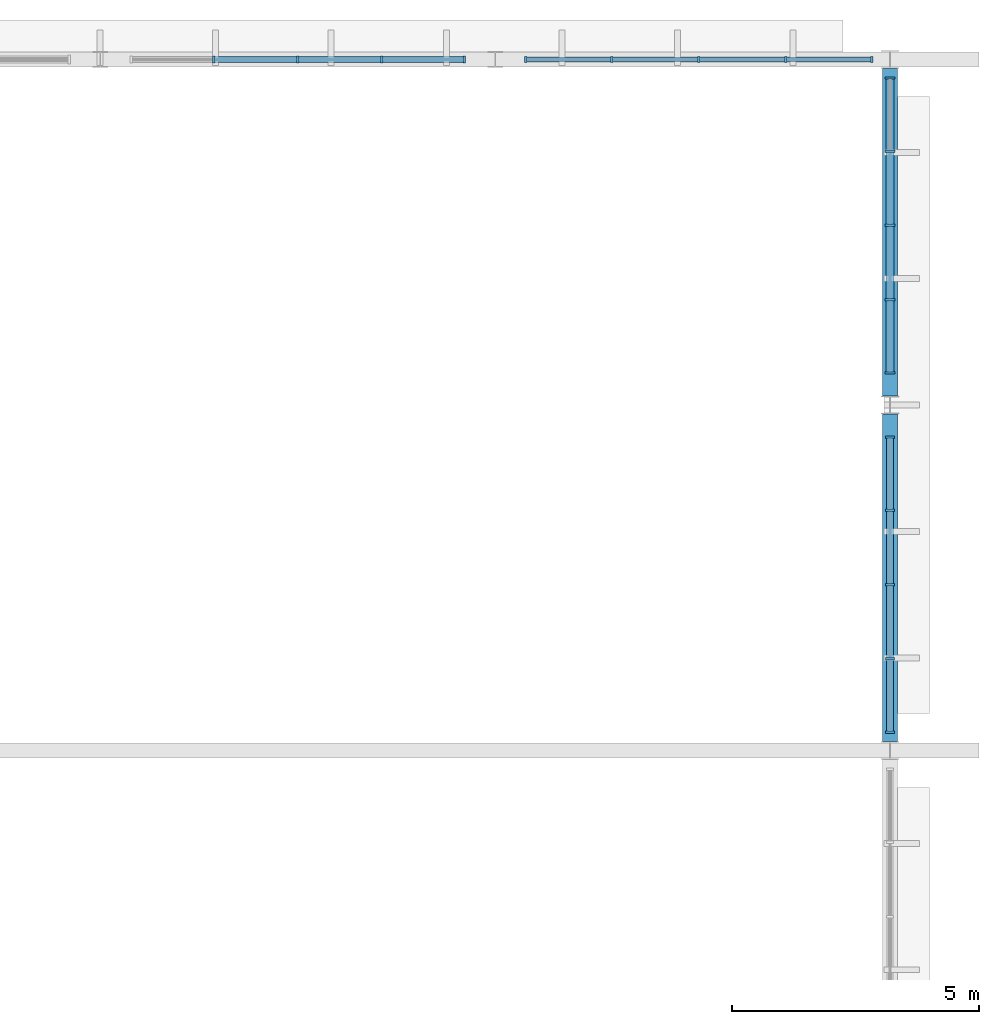
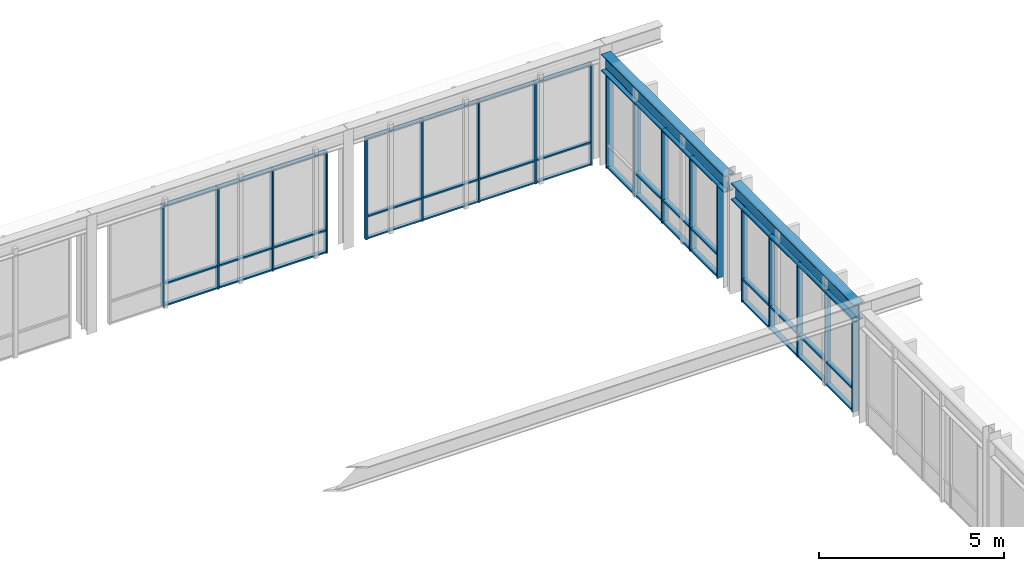
# One storey, part 45 of 98: 62 members, 2 beams, 4 elements without a shape of their own.
"""IFC4 building model written with IfcOpenShell, lengths in metres."""

from ifc_helpers import new_model, si_unit, direction, frame, origin, origin_2d, place, context, subcontext, project, spatial, rectangle, i_section, extrude, material, material_profile, profile_set, type_object, element, aggregate, save


model = new_model("IFC4")

# Units and contexts
model_context = context("Model", 3, precision=1e-05, world=origin(), true_north=direction((0.0, 1.0)))
body_context = subcontext(model_context, "Body", "Model", "MODEL_VIEW")
ifc_project = project(units=[si_unit("LENGTHUNIT", "METRE"), si_unit("AREAUNIT", "SQUARE_METRE"), si_unit("VOLUMEUNIT", "CUBIC_METRE"), si_unit("PLANEANGLEUNIT", "RADIAN"), si_unit("MASSUNIT", "GRAM", prefix="KILO")], contexts=[model_context])

# Site, building, storey
site_placement = place(None, origin())
site = spatial("IfcSite", under=ifc_project, at=site_placement, CompositionType="ELEMENT")
building_placement = place(site_placement, origin())
building = spatial("IfcBuilding", under=site, at=building_placement, Name="Larkveld Mobility Hub", CompositionType="ELEMENT")
storey_placement = place(building_placement, frame((0.0, 0.0, 4.5)))
storey = spatial("IfcBuildingStorey", under=building, at=storey_placement, Name="L01", CompositionType="ELEMENT", Elevation=4.5)

# Beams
ifc_material_1 = material(Name="Steel S355JR", Category="steel")
ifc_material_profile_1 = material_profile(ifc_material_1, i_section(OverallWidth=0.300048828125, OverallDepth=0.550048828125, WebThickness=0.014892578125, FlangeThickness=0.029052734375, FilletRadius=0.027099609375, at=origin_2d()), Name="HEB 550")
ifc_profile_set_1 = profile_set([ifc_material_profile_1], Name="Steel S355JR")
beam_type = type_object("IfcBeamType", Name="BM-STHEB550", PredefinedType="BEAM", material=ifc_profile_set_1)
for number, where, z_axis, x_axis, name in (
    (1, (184.0, 112.18408203125, 3.385009765625), (0.0, 1.0, 0.0), (-1.0, 0.0, 0.0), "Primary N-S Girder L01-0482"),
    (2, (184.0, 119.18408203125, 3.385009765625), (0.0, 1.0, 0.0), (-1.0, 0.0, 0.0), "Primary N-S Girder L01-0483"),
):
    element("IfcBeam", number, at=place(storey_placement, frame(where, z_axis=z_axis, x_axis=x_axis)), inside=storey, type_object=beam_type, Name=name, PredefinedType="BEAM", context=body_context, shape_type="SweptSolid", body=[
        extrude(i_section(OverallWidth=0.300048828125, OverallDepth=0.550048828125, WebThickness=0.014892578125, FlangeThickness=0.029052734375, FilletRadius=0.027099609375, at=origin_2d()), origin(), (0.0, 0.0, 1.0), 6.6318359375),
    ])

# Curtain wall, members
ifc_material_2 = material(Name="Anodised aluminium 6063-T6", Category="aluminium")
curtain_wall_type_1 = type_object("IfcCurtainWallType", Name="CW-SYS-05", PredefinedType="NOTDEFINED", material=ifc_material_2)
curtain_wall_1_placement = place(storey_placement, origin())
curtain_wall_1 = element("IfcCurtainWall", 3, at=curtain_wall_1_placement, inside=storey, type_object=curtain_wall_type_1, Name="North Ridgeway Upper Concourse Curtain Wall CW-065", PredefinedType="NOTDEFINED")
ifc_material_profile_2 = material_profile(ifc_material_2, rectangle(XDim=0.050048828125, YDim=0.14990234375, at=origin_2d()), Name="ALU MULL 50x150")
ifc_profile_set_2 = profile_set([ifc_material_profile_2], Name="Anodised aluminium 6063-T6")
member_type_1 = type_object("IfcMemberType", Name="CW-MUL-01", PredefinedType="MULLION", material=ifc_profile_set_2)
member_1_placement = place(storey_placement, frame((175.375, 126.0, -0.001953125), z_axis=(0.0, 0.0, 1.0), x_axis=(-1.0, 0.0, 0.0)))
member_1 = element("IfcMember", 4, at=member_1_placement, type_object=member_type_1, Name="CW05 mullion 1", PredefinedType="MULLION", context=body_context, shape_type="SweptSolid", body=[
    extrude(rectangle(XDim=0.050048828125, YDim=0.14990234375, at=origin_2d()), origin(), (0.0, 0.0, 1.0), 3.35205078125),
])
member_2_placement = place(storey_placement, frame((173.699951171875, 126.0, -0.001953125), z_axis=(0.0, 0.0, 1.0), x_axis=(-1.0, 0.0, 0.0)))
member_2 = element("IfcMember", 5, at=member_2_placement, type_object=member_type_1, Name="CW05 mullion 2", PredefinedType="MULLION", context=body_context, shape_type="SweptSolid", body=[
    extrude(rectangle(XDim=0.050048828125, YDim=0.14990234375, at=origin_2d()), origin(), (0.0, 0.0, 1.0), 3.35205078125),
])
member_3_placement = place(storey_placement, frame((172.0, 126.0, -0.001953125), z_axis=(0.0, 0.0, 1.0), x_axis=(-1.0, 0.0, 0.0)))
member_3 = element("IfcMember", 6, at=member_3_placement, type_object=member_type_1, Name="CW05 mullion 3", PredefinedType="MULLION", context=body_context, shape_type="SweptSolid", body=[
    extrude(rectangle(XDim=0.050048828125, YDim=0.14990234375, at=origin_2d()), origin(), (0.0, 0.0, 1.0), 3.35205078125),
])
member_4_placement = place(storey_placement, frame((170.300048828125, 126.0, -0.001953125), z_axis=(0.0, 0.0, 1.0), x_axis=(-1.0, 0.0, 0.0)))
member_4 = element("IfcMember", 7, at=member_4_placement, type_object=member_type_1, Name="CW05 mullion 4", PredefinedType="MULLION", context=body_context, shape_type="SweptSolid", body=[
    extrude(rectangle(XDim=0.050048828125, YDim=0.14990234375, at=origin_2d()), origin(), (0.0, 0.0, 1.0), 3.35205078125),
])

curtain_wall_type_2 = type_object("IfcCurtainWallType", Name="CW-SYS-02", PredefinedType="NOTDEFINED", material=ifc_material_2)
curtain_wall_2_placement = place(storey_placement, origin())
curtain_wall_2 = element("IfcCurtainWall", 8, at=curtain_wall_2_placement, inside=storey, type_object=curtain_wall_type_2, Name="Bus Hall Upper East Glazing B7 CW-062", PredefinedType="NOTDEFINED")
ifc_material_profile_3 = material_profile(ifc_material_2, rectangle(XDim=0.050048828125, YDim=0.179931640625, at=origin_2d()), Name="ALU MULL 50x180")
ifc_profile_set_3 = profile_set([ifc_material_profile_3], Name="Anodised aluminium 6063-T6")
member_type_2 = type_object("IfcMemberType", Name="CW-MUL-02", PredefinedType="MULLION", material=ifc_profile_set_3)
member_5_placement = place(storey_placement, frame((184.0, 112.375, -0.001953125), z_axis=(0.0, 0.0, 1.0), x_axis=(0.0, 1.0, 0.0)))
member_5 = element("IfcMember", 9, at=member_5_placement, type_object=member_type_2, Name="CW02 mullion 1", PredefinedType="MULLION", context=body_context, shape_type="SweptSolid", body=[
    extrude(rectangle(XDim=0.050048828125, YDim=0.179931640625, at=origin_2d()), origin(), (0.0, 0.0, 1.0), 3.112060546875),
])
member_6_placement = place(storey_placement, frame((184.0, 113.85595703125, -0.001953125), z_axis=(0.0, 0.0, 1.0), x_axis=(0.0, 1.0, 0.0)))
member_6 = element("IfcMember", 10, at=member_6_placement, type_object=member_type_2, Name="CW02 mullion 2", PredefinedType="MULLION", context=body_context, shape_type="SweptSolid", body=[
    extrude(rectangle(XDim=0.050048828125, YDim=0.179931640625, at=origin_2d()), origin(), (0.0, 0.0, 1.0), 3.112060546875),
])
member_7_placement = place(storey_placement, frame((184.0, 115.362060546875, -0.001953125), z_axis=(0.0, 0.0, 1.0), x_axis=(0.0, 1.0, 0.0)))
member_7 = element("IfcMember", 11, at=member_7_placement, type_object=member_type_2, Name="CW02 mullion 3", PredefinedType="MULLION", context=body_context, shape_type="SweptSolid", body=[
    extrude(rectangle(XDim=0.050048828125, YDim=0.179931640625, at=origin_2d()), origin(), (0.0, 0.0, 1.0), 3.112060546875),
])
member_8_placement = place(storey_placement, frame((184.0, 116.867919921875, -0.001953125), z_axis=(0.0, 0.0, 1.0), x_axis=(0.0, 1.0, 0.0)))
member_8 = element("IfcMember", 12, at=member_8_placement, type_object=member_type_2, Name="CW02 mullion 4", PredefinedType="MULLION", context=body_context, shape_type="SweptSolid", body=[
    extrude(rectangle(XDim=0.050048828125, YDim=0.179931640625, at=origin_2d()), origin(), (0.0, 0.0, 1.0), 3.112060546875),
])
member_9_placement = place(storey_placement, frame((184.0, 118.34912109375, -0.001953125), z_axis=(0.0, 0.0, 1.0), x_axis=(0.0, 1.0, 0.0)))
member_9 = element("IfcMember", 13, at=member_9_placement, type_object=member_type_2, Name="CW02 mullion 5", PredefinedType="MULLION", context=body_context, shape_type="SweptSolid", body=[
    extrude(rectangle(XDim=0.050048828125, YDim=0.179931640625, at=origin_2d()), origin(), (0.0, 0.0, 1.0), 3.112060546875),
])

curtain_wall_type_3 = type_object("IfcCurtainWallType", Name="CW-SYS-03", PredefinedType="NOTDEFINED", material=ifc_material_2)
curtain_wall_3_placement = place(storey_placement, origin())
curtain_wall_3 = element("IfcCurtainWall", 14, at=curtain_wall_3_placement, inside=storey, type_object=curtain_wall_type_3, Name="Bus Hall Upper East Glazing B7 CW-063", PredefinedType="NOTDEFINED")
ifc_material_profile_4 = material_profile(ifc_material_2, rectangle(XDim=0.050048828125, YDim=0.2099609375, at=origin_2d()), Name="ALU MULL 50x210")
ifc_profile_set_4 = profile_set([ifc_material_profile_4], Name="Anodised aluminium 6063-T6")
member_type_3 = type_object("IfcMemberType", Name="CW-MUL-03", PredefinedType="MULLION", material=ifc_profile_set_4)
member_10_placement = place(storey_placement, frame((184.0, 119.65087890625, -0.001953125), z_axis=(0.0, 0.0, 1.0), x_axis=(0.0, 1.0, 0.0)))
member_10 = element("IfcMember", 15, at=member_10_placement, type_object=member_type_3, Name="CW03 mullion 1", PredefinedType="MULLION", context=body_context, shape_type="SweptSolid", body=[
    extrude(rectangle(XDim=0.050048828125, YDim=0.2099609375, at=origin_2d()), origin(), (0.0, 0.0, 1.0), 3.112060546875),
])
member_11_placement = place(storey_placement, frame((184.0, 121.132080078125, -0.001953125), z_axis=(0.0, 0.0, 1.0), x_axis=(0.0, 1.0, 0.0)))
member_11 = element("IfcMember", 16, at=member_11_placement, type_object=member_type_3, Name="CW03 mullion 2", PredefinedType="MULLION", context=body_context, shape_type="SweptSolid", body=[
    extrude(rectangle(XDim=0.050048828125, YDim=0.2099609375, at=origin_2d()), origin(), (0.0, 0.0, 1.0), 3.112060546875),
])
member_12_placement = place(storey_placement, frame((184.0, 122.637939453125, -0.001953125), z_axis=(0.0, 0.0, 1.0), x_axis=(0.0, 1.0, 0.0)))
member_12 = element("IfcMember", 17, at=member_12_placement, type_object=member_type_3, Name="CW03 mullion 3", PredefinedType="MULLION", context=body_context, shape_type="SweptSolid", body=[
    extrude(rectangle(XDim=0.050048828125, YDim=0.2099609375, at=origin_2d()), origin(), (0.0, 0.0, 1.0), 3.112060546875),
])
member_13_placement = place(storey_placement, frame((184.0, 124.14404296875, -0.001953125), z_axis=(0.0, 0.0, 1.0), x_axis=(0.0, 1.0, 0.0)))
member_13 = element("IfcMember", 18, at=member_13_placement, type_object=member_type_3, Name="CW03 mullion 4", PredefinedType="MULLION", context=body_context, shape_type="SweptSolid", body=[
    extrude(rectangle(XDim=0.050048828125, YDim=0.2099609375, at=origin_2d()), origin(), (0.0, 0.0, 1.0), 3.112060546875),
])
member_14_placement = place(storey_placement, frame((184.0, 125.625, -0.001953125), z_axis=(0.0, 0.0, 1.0), x_axis=(0.0, 1.0, 0.0)))
member_14 = element("IfcMember", 19, at=member_14_placement, type_object=member_type_3, Name="CW03 mullion 5", PredefinedType="MULLION", context=body_context, shape_type="SweptSolid", body=[
    extrude(rectangle(XDim=0.050048828125, YDim=0.2099609375, at=origin_2d()), origin(), (0.0, 0.0, 1.0), 3.112060546875),
])

curtain_wall_type_4 = type_object("IfcCurtainWallType", Name="CW-SYS-04", PredefinedType="NOTDEFINED", material=ifc_material_2)
curtain_wall_4_placement = place(storey_placement, origin())
curtain_wall_4 = element("IfcCurtainWall", 20, at=curtain_wall_4_placement, inside=storey, type_object=curtain_wall_type_4, Name="North Ridgeway Upper Concourse Curtain Wall CW-064", PredefinedType="NOTDEFINED")
ifc_material_profile_5 = material_profile(ifc_material_2, rectangle(XDim=0.050048828125, YDim=0.1298828125, at=origin_2d()), Name="ALU MULL 50x130")
ifc_profile_set_5 = profile_set([ifc_material_profile_5], Name="Anodised aluminium 6063-T6")
member_type_4 = type_object("IfcMemberType", Name="CW-MUL-04", PredefinedType="MULLION", material=ifc_profile_set_5)
member_15_placement = place(storey_placement, frame((183.625, 126.0, -0.001953125), z_axis=(0.0, 0.0, 1.0), x_axis=(-1.0, 0.0, 0.0)))
member_15 = element("IfcMember", 21, at=member_15_placement, type_object=member_type_4, Name="CW04 mullion 1", PredefinedType="MULLION", context=body_context, shape_type="SweptSolid", body=[
    extrude(rectangle(XDim=0.050048828125, YDim=0.1298828125, at=origin_2d()), origin(), (0.0, 0.0, 1.0), 3.35205078125),
])
member_16_placement = place(storey_placement, frame((181.887939453125, 126.0, -0.001953125), z_axis=(0.0, 0.0, 1.0), x_axis=(-1.0, 0.0, 0.0)))
member_16 = element("IfcMember", 22, at=member_16_placement, type_object=member_type_4, Name="CW04 mullion 2", PredefinedType="MULLION", context=body_context, shape_type="SweptSolid", body=[
    extrude(rectangle(XDim=0.050048828125, YDim=0.1298828125, at=origin_2d()), origin(), (0.0, 0.0, 1.0), 3.35205078125),
])
member_17_placement = place(storey_placement, frame((180.125, 126.0, -0.001953125), z_axis=(0.0, 0.0, 1.0), x_axis=(-1.0, 0.0, 0.0)))
member_17 = element("IfcMember", 23, at=member_17_placement, type_object=member_type_4, Name="CW04 mullion 3", PredefinedType="MULLION", context=body_context, shape_type="SweptSolid", body=[
    extrude(rectangle(XDim=0.050048828125, YDim=0.1298828125, at=origin_2d()), origin(), (0.0, 0.0, 1.0), 3.35205078125),
])
member_18_placement = place(storey_placement, frame((178.363037109375, 126.0, -0.001953125), z_axis=(0.0, 0.0, 1.0), x_axis=(-1.0, 0.0, 0.0)))
member_18 = element("IfcMember", 24, at=member_18_placement, type_object=member_type_4, Name="CW04 mullion 4", PredefinedType="MULLION", context=body_context, shape_type="SweptSolid", body=[
    extrude(rectangle(XDim=0.050048828125, YDim=0.1298828125, at=origin_2d()), origin(), (0.0, 0.0, 1.0), 3.35205078125),
])
member_19_placement = place(storey_placement, frame((176.625, 126.0, -0.001953125), z_axis=(0.0, 0.0, 1.0), x_axis=(-1.0, 0.0, 0.0)))
member_19 = element("IfcMember", 25, at=member_19_placement, type_object=member_type_4, Name="CW04 mullion 5", PredefinedType="MULLION", context=body_context, shape_type="SweptSolid", body=[
    extrude(rectangle(XDim=0.050048828125, YDim=0.1298828125, at=origin_2d()), origin(), (0.0, 0.0, 1.0), 3.35205078125),
])

# Member
ifc_material_profile_6 = material_profile(ifc_material_2, rectangle(XDim=0.1201171875, YDim=0.050048828125, at=origin_2d()), Name="ALU TRAN 50x120")
ifc_profile_set_6 = profile_set([ifc_material_profile_6], Name="Anodised aluminium 6063-T6")
member_type_5 = type_object("IfcMemberType", Name="CW-TRN-01", PredefinedType="USERDEFINED", material=ifc_profile_set_6)
member_20_placement = place(storey_placement, frame((175.364990234375, 126.0, 0.030029296875), z_axis=(-1.0, 0.0, 0.0), x_axis=(0.0, -1.0, 0.0)))
member_20 = element("IfcMember", 26, at=member_20_placement, type_object=member_type_5, Name="CW05 transom 1.1", ObjectType="TRANSOM", PredefinedType="USERDEFINED", context=body_context, shape_type="SweptSolid", body=[
    extrude(rectangle(XDim=0.1201171875, YDim=0.050048828125, at=origin_2d()), origin(), (0.0, 0.0, 1.0), 1.64990234375),
])

member_21_placement = place(storey_placement, frame((175.364990234375, 126.0, 0.75), z_axis=(-1.0, 0.0, 0.0), x_axis=(0.0, -1.0, 0.0)))
member_21 = element("IfcMember", 27, at=member_21_placement, type_object=member_type_5, Name="CW05 transom 1.2", ObjectType="TRANSOM", PredefinedType="USERDEFINED", context=body_context, shape_type="SweptSolid", body=[
    extrude(rectangle(XDim=0.1201171875, YDim=0.050048828125, at=origin_2d()), origin(), (0.0, 0.0, 1.0), 1.64990234375),
])

member_22_placement = place(storey_placement, frame((175.364990234375, 126.0, 3.318115234375), z_axis=(-1.0, 0.0, 0.0), x_axis=(0.0, -1.0, 0.0)))
member_22 = element("IfcMember", 28, at=member_22_placement, type_object=member_type_5, Name="CW05 transom 1.3", ObjectType="TRANSOM", PredefinedType="USERDEFINED", context=body_context, shape_type="SweptSolid", body=[
    extrude(rectangle(XDim=0.1201171875, YDim=0.050048828125, at=origin_2d()), origin(), (0.0, 0.0, 1.0), 1.64990234375),
])

member_23_placement = place(storey_placement, frame((173.68505859375, 126.0, 0.030029296875), z_axis=(-1.0, 0.0, 0.0), x_axis=(0.0, -1.0, 0.0)))
member_23 = element("IfcMember", 29, at=member_23_placement, type_object=member_type_5, Name="CW05 transom 2.1", ObjectType="TRANSOM", PredefinedType="USERDEFINED", context=body_context, shape_type="SweptSolid", body=[
    extrude(rectangle(XDim=0.1201171875, YDim=0.050048828125, at=origin_2d()), origin(), (0.0, 0.0, 1.0), 1.670166015625),
])

member_24_placement = place(storey_placement, frame((173.68505859375, 126.0, 0.75), z_axis=(-1.0, 0.0, 0.0), x_axis=(0.0, -1.0, 0.0)))
member_24 = element("IfcMember", 30, at=member_24_placement, type_object=member_type_5, Name="CW05 transom 2.2", ObjectType="TRANSOM", PredefinedType="USERDEFINED", context=body_context, shape_type="SweptSolid", body=[
    extrude(rectangle(XDim=0.1201171875, YDim=0.050048828125, at=origin_2d()), origin(), (0.0, 0.0, 1.0), 1.670166015625),
])

member_25_placement = place(storey_placement, frame((173.68505859375, 126.0, 3.318115234375), z_axis=(-1.0, 0.0, 0.0), x_axis=(0.0, -1.0, 0.0)))
member_25 = element("IfcMember", 31, at=member_25_placement, type_object=member_type_5, Name="CW05 transom 2.3", ObjectType="TRANSOM", PredefinedType="USERDEFINED", context=body_context, shape_type="SweptSolid", body=[
    extrude(rectangle(XDim=0.1201171875, YDim=0.050048828125, at=origin_2d()), origin(), (0.0, 0.0, 1.0), 1.670166015625),
])

member_26_placement = place(storey_placement, frame((171.985107421875, 126.0, 0.030029296875), z_axis=(-1.0, 0.0, 0.0), x_axis=(0.0, -1.0, 0.0)))
member_26 = element("IfcMember", 32, at=member_26_placement, type_object=member_type_5, Name="CW05 transom 3.1", ObjectType="TRANSOM", PredefinedType="USERDEFINED", context=body_context, shape_type="SweptSolid", body=[
    extrude(rectangle(XDim=0.1201171875, YDim=0.050048828125, at=origin_2d()), origin(), (0.0, 0.0, 1.0), 1.670166015625),
])

member_27_placement = place(storey_placement, frame((171.985107421875, 126.0, 0.75), z_axis=(-1.0, 0.0, 0.0), x_axis=(0.0, -1.0, 0.0)))
member_27 = element("IfcMember", 33, at=member_27_placement, type_object=member_type_5, Name="CW05 transom 3.2", ObjectType="TRANSOM", PredefinedType="USERDEFINED", context=body_context, shape_type="SweptSolid", body=[
    extrude(rectangle(XDim=0.1201171875, YDim=0.050048828125, at=origin_2d()), origin(), (0.0, 0.0, 1.0), 1.670166015625),
])

member_28_placement = place(storey_placement, frame((171.985107421875, 126.0, 3.318115234375), z_axis=(-1.0, 0.0, 0.0), x_axis=(0.0, -1.0, 0.0)))
member_28 = element("IfcMember", 34, at=member_28_placement, type_object=member_type_5, Name="CW05 transom 3.3", ObjectType="TRANSOM", PredefinedType="USERDEFINED", context=body_context, shape_type="SweptSolid", body=[
    extrude(rectangle(XDim=0.1201171875, YDim=0.050048828125, at=origin_2d()), origin(), (0.0, 0.0, 1.0), 1.670166015625),
])

aggregate(curtain_wall_1, [member_1, member_2, member_3, member_4, member_20, member_21, member_22, member_23, member_24, member_25, member_26, member_27, member_28])

ifc_material_profile_7 = material_profile(ifc_material_2, rectangle(XDim=0.14990234375, YDim=0.050048828125, at=origin_2d()), Name="ALU TRAN 50x150")
ifc_profile_set_7 = profile_set([ifc_material_profile_7], Name="Anodised aluminium 6063-T6")
member_type_6 = type_object("IfcMemberType", Name="CW-TRN-02", PredefinedType="USERDEFINED", material=ifc_profile_set_7)
member_29_placement = place(storey_placement, frame((184.0, 112.385009765625, 0.030029296875), z_axis=(0.0, 1.0, 0.0), x_axis=(-1.0, 0.0, 0.0)))
member_29 = element("IfcMember", 35, at=member_29_placement, type_object=member_type_6, Name="CW02 transom 1.1", ObjectType="TRANSOM", PredefinedType="USERDEFINED", context=body_context, shape_type="SweptSolid", body=[
    extrude(rectangle(XDim=0.14990234375, YDim=0.050048828125, at=origin_2d()), origin(), (0.0, 0.0, 1.0), 1.4560546875),
])

member_30_placement = place(storey_placement, frame((184.0, 112.385009765625, 0.75), z_axis=(0.0, 1.0, 0.0), x_axis=(-1.0, 0.0, 0.0)))
member_30 = element("IfcMember", 36, at=member_30_placement, type_object=member_type_6, Name="CW02 transom 1.2", ObjectType="TRANSOM", PredefinedType="USERDEFINED", context=body_context, shape_type="SweptSolid", body=[
    extrude(rectangle(XDim=0.14990234375, YDim=0.050048828125, at=origin_2d()), origin(), (0.0, 0.0, 1.0), 1.4560546875),
])

member_31_placement = place(storey_placement, frame((184.0, 112.385009765625, 3.077880859375), z_axis=(0.0, 1.0, 0.0), x_axis=(-1.0, 0.0, 0.0)))
member_31 = element("IfcMember", 37, at=member_31_placement, type_object=member_type_6, Name="CW02 transom 1.3", ObjectType="TRANSOM", PredefinedType="USERDEFINED", context=body_context, shape_type="SweptSolid", body=[
    extrude(rectangle(XDim=0.14990234375, YDim=0.050048828125, at=origin_2d()), origin(), (0.0, 0.0, 1.0), 1.4560546875),
])

member_32_placement = place(storey_placement, frame((184.0, 113.87109375, 0.030029296875), z_axis=(0.0, 1.0, 0.0), x_axis=(-1.0, 0.0, 0.0)))
member_32 = element("IfcMember", 38, at=member_32_placement, type_object=member_type_6, Name="CW02 transom 2.1", ObjectType="TRANSOM", PredefinedType="USERDEFINED", context=body_context, shape_type="SweptSolid", body=[
    extrude(rectangle(XDim=0.14990234375, YDim=0.050048828125, at=origin_2d()), origin(), (0.0, 0.0, 1.0), 1.475830078125),
])

member_33_placement = place(storey_placement, frame((184.0, 113.87109375, 0.75), z_axis=(0.0, 1.0, 0.0), x_axis=(-1.0, 0.0, 0.0)))
member_33 = element("IfcMember", 39, at=member_33_placement, type_object=member_type_6, Name="CW02 transom 2.2", ObjectType="TRANSOM", PredefinedType="USERDEFINED", context=body_context, shape_type="SweptSolid", body=[
    extrude(rectangle(XDim=0.14990234375, YDim=0.050048828125, at=origin_2d()), origin(), (0.0, 0.0, 1.0), 1.475830078125),
])

member_34_placement = place(storey_placement, frame((184.0, 113.87109375, 3.077880859375), z_axis=(0.0, 1.0, 0.0), x_axis=(-1.0, 0.0, 0.0)))
member_34 = element("IfcMember", 40, at=member_34_placement, type_object=member_type_6, Name="CW02 transom 2.3", ObjectType="TRANSOM", PredefinedType="USERDEFINED", context=body_context, shape_type="SweptSolid", body=[
    extrude(rectangle(XDim=0.14990234375, YDim=0.050048828125, at=origin_2d()), origin(), (0.0, 0.0, 1.0), 1.475830078125),
])

member_35_placement = place(storey_placement, frame((184.0, 115.376953125, 0.030029296875), z_axis=(0.0, 1.0, 0.0), x_axis=(-1.0, 0.0, 0.0)))
member_35 = element("IfcMember", 41, at=member_35_placement, type_object=member_type_6, Name="CW02 transom 3.1", ObjectType="TRANSOM", PredefinedType="USERDEFINED", context=body_context, shape_type="SweptSolid", body=[
    extrude(rectangle(XDim=0.14990234375, YDim=0.050048828125, at=origin_2d()), origin(), (0.0, 0.0, 1.0), 1.47607421875),
])

member_36_placement = place(storey_placement, frame((184.0, 115.376953125, 0.75), z_axis=(0.0, 1.0, 0.0), x_axis=(-1.0, 0.0, 0.0)))
member_36 = element("IfcMember", 42, at=member_36_placement, type_object=member_type_6, Name="CW02 transom 3.2", ObjectType="TRANSOM", PredefinedType="USERDEFINED", context=body_context, shape_type="SweptSolid", body=[
    extrude(rectangle(XDim=0.14990234375, YDim=0.050048828125, at=origin_2d()), origin(), (0.0, 0.0, 1.0), 1.47607421875),
])

member_37_placement = place(storey_placement, frame((184.0, 115.376953125, 3.077880859375), z_axis=(0.0, 1.0, 0.0), x_axis=(-1.0, 0.0, 0.0)))
member_37 = element("IfcMember", 43, at=member_37_placement, type_object=member_type_6, Name="CW02 transom 3.3", ObjectType="TRANSOM", PredefinedType="USERDEFINED", context=body_context, shape_type="SweptSolid", body=[
    extrude(rectangle(XDim=0.14990234375, YDim=0.050048828125, at=origin_2d()), origin(), (0.0, 0.0, 1.0), 1.47607421875),
])

member_38_placement = place(storey_placement, frame((184.0, 116.883056640625, 0.030029296875), z_axis=(0.0, 1.0, 0.0), x_axis=(-1.0, 0.0, 0.0)))
member_38 = element("IfcMember", 44, at=member_38_placement, type_object=member_type_6, Name="CW02 transom 4.1", ObjectType="TRANSOM", PredefinedType="USERDEFINED", context=body_context, shape_type="SweptSolid", body=[
    extrude(rectangle(XDim=0.14990234375, YDim=0.050048828125, at=origin_2d()), origin(), (0.0, 0.0, 1.0), 1.4560546875),
])

member_39_placement = place(storey_placement, frame((184.0, 116.883056640625, 0.75), z_axis=(0.0, 1.0, 0.0), x_axis=(-1.0, 0.0, 0.0)))
member_39 = element("IfcMember", 45, at=member_39_placement, type_object=member_type_6, Name="CW02 transom 4.2", ObjectType="TRANSOM", PredefinedType="USERDEFINED", context=body_context, shape_type="SweptSolid", body=[
    extrude(rectangle(XDim=0.14990234375, YDim=0.050048828125, at=origin_2d()), origin(), (0.0, 0.0, 1.0), 1.4560546875),
])

member_40_placement = place(storey_placement, frame((184.0, 116.883056640625, 3.077880859375), z_axis=(0.0, 1.0, 0.0), x_axis=(-1.0, 0.0, 0.0)))
member_40 = element("IfcMember", 46, at=member_40_placement, type_object=member_type_6, Name="CW02 transom 4.3", ObjectType="TRANSOM", PredefinedType="USERDEFINED", context=body_context, shape_type="SweptSolid", body=[
    extrude(rectangle(XDim=0.14990234375, YDim=0.050048828125, at=origin_2d()), origin(), (0.0, 0.0, 1.0), 1.4560546875),
])

aggregate(curtain_wall_2, [member_5, member_6, member_7, member_8, member_9, member_29, member_30, member_31, member_32, member_33, member_34, member_35, member_36, member_37, member_38, member_39, member_40])

ifc_material_profile_8 = material_profile(ifc_material_2, rectangle(XDim=0.169921875, YDim=0.050048828125, at=origin_2d()), Name="ALU TRAN 50x170")
ifc_profile_set_8 = profile_set([ifc_material_profile_8], Name="Anodised aluminium 6063-T6")
member_type_7 = type_object("IfcMemberType", Name="CW-TRN-03", PredefinedType="USERDEFINED", material=ifc_profile_set_8)
member_41_placement = place(storey_placement, frame((184.0, 119.660888671875, 0.030029296875), z_axis=(0.0, 1.0, 0.0), x_axis=(-1.0, 0.0, 0.0)))
member_41 = element("IfcMember", 47, at=member_41_placement, type_object=member_type_7, Name="CW03 transom 1.1", ObjectType="TRANSOM", PredefinedType="USERDEFINED", context=body_context, shape_type="SweptSolid", body=[
    extrude(rectangle(XDim=0.169921875, YDim=0.050048828125, at=origin_2d()), origin(), (0.0, 0.0, 1.0), 1.4560546875),
])

member_42_placement = place(storey_placement, frame((184.0, 119.660888671875, 0.75), z_axis=(0.0, 1.0, 0.0), x_axis=(-1.0, 0.0, 0.0)))
member_42 = element("IfcMember", 48, at=member_42_placement, type_object=member_type_7, Name="CW03 transom 1.2", ObjectType="TRANSOM", PredefinedType="USERDEFINED", context=body_context, shape_type="SweptSolid", body=[
    extrude(rectangle(XDim=0.169921875, YDim=0.050048828125, at=origin_2d()), origin(), (0.0, 0.0, 1.0), 1.4560546875),
])

member_43_placement = place(storey_placement, frame((184.0, 119.660888671875, 3.077880859375), z_axis=(0.0, 1.0, 0.0), x_axis=(-1.0, 0.0, 0.0)))
member_43 = element("IfcMember", 49, at=member_43_placement, type_object=member_type_7, Name="CW03 transom 1.3", ObjectType="TRANSOM", PredefinedType="USERDEFINED", context=body_context, shape_type="SweptSolid", body=[
    extrude(rectangle(XDim=0.169921875, YDim=0.050048828125, at=origin_2d()), origin(), (0.0, 0.0, 1.0), 1.4560546875),
])

member_44_placement = place(storey_placement, frame((184.0, 121.14697265625, 0.030029296875), z_axis=(0.0, 1.0, 0.0), x_axis=(-1.0, 0.0, 0.0)))
member_44 = element("IfcMember", 50, at=member_44_placement, type_object=member_type_7, Name="CW03 transom 2.1", ObjectType="TRANSOM", PredefinedType="USERDEFINED", context=body_context, shape_type="SweptSolid", body=[
    extrude(rectangle(XDim=0.169921875, YDim=0.050048828125, at=origin_2d()), origin(), (0.0, 0.0, 1.0), 1.47607421875),
])

member_45_placement = place(storey_placement, frame((184.0, 121.14697265625, 0.75), z_axis=(0.0, 1.0, 0.0), x_axis=(-1.0, 0.0, 0.0)))
member_45 = element("IfcMember", 51, at=member_45_placement, type_object=member_type_7, Name="CW03 transom 2.2", ObjectType="TRANSOM", PredefinedType="USERDEFINED", context=body_context, shape_type="SweptSolid", body=[
    extrude(rectangle(XDim=0.169921875, YDim=0.050048828125, at=origin_2d()), origin(), (0.0, 0.0, 1.0), 1.47607421875),
])

member_46_placement = place(storey_placement, frame((184.0, 121.14697265625, 3.077880859375), z_axis=(0.0, 1.0, 0.0), x_axis=(-1.0, 0.0, 0.0)))
member_46 = element("IfcMember", 52, at=member_46_placement, type_object=member_type_7, Name="CW03 transom 2.3", ObjectType="TRANSOM", PredefinedType="USERDEFINED", context=body_context, shape_type="SweptSolid", body=[
    extrude(rectangle(XDim=0.169921875, YDim=0.050048828125, at=origin_2d()), origin(), (0.0, 0.0, 1.0), 1.47607421875),
])

member_47_placement = place(storey_placement, frame((184.0, 122.653076171875, 0.030029296875), z_axis=(0.0, 1.0, 0.0), x_axis=(-1.0, 0.0, 0.0)))
member_47 = element("IfcMember", 53, at=member_47_placement, type_object=member_type_7, Name="CW03 transom 3.1", ObjectType="TRANSOM", PredefinedType="USERDEFINED", context=body_context, shape_type="SweptSolid", body=[
    extrude(rectangle(XDim=0.169921875, YDim=0.050048828125, at=origin_2d()), origin(), (0.0, 0.0, 1.0), 1.475830078125),
])

member_48_placement = place(storey_placement, frame((184.0, 122.653076171875, 0.75), z_axis=(0.0, 1.0, 0.0), x_axis=(-1.0, 0.0, 0.0)))
member_48 = element("IfcMember", 54, at=member_48_placement, type_object=member_type_7, Name="CW03 transom 3.2", ObjectType="TRANSOM", PredefinedType="USERDEFINED", context=body_context, shape_type="SweptSolid", body=[
    extrude(rectangle(XDim=0.169921875, YDim=0.050048828125, at=origin_2d()), origin(), (0.0, 0.0, 1.0), 1.475830078125),
])

member_49_placement = place(storey_placement, frame((184.0, 122.653076171875, 3.077880859375), z_axis=(0.0, 1.0, 0.0), x_axis=(-1.0, 0.0, 0.0)))
member_49 = element("IfcMember", 55, at=member_49_placement, type_object=member_type_7, Name="CW03 transom 3.3", ObjectType="TRANSOM", PredefinedType="USERDEFINED", context=body_context, shape_type="SweptSolid", body=[
    extrude(rectangle(XDim=0.169921875, YDim=0.050048828125, at=origin_2d()), origin(), (0.0, 0.0, 1.0), 1.475830078125),
])

member_50_placement = place(storey_placement, frame((184.0, 124.158935546875, 0.030029296875), z_axis=(0.0, 1.0, 0.0), x_axis=(-1.0, 0.0, 0.0)))
member_50 = element("IfcMember", 56, at=member_50_placement, type_object=member_type_7, Name="CW03 transom 4.1", ObjectType="TRANSOM", PredefinedType="USERDEFINED", context=body_context, shape_type="SweptSolid", body=[
    extrude(rectangle(XDim=0.169921875, YDim=0.050048828125, at=origin_2d()), origin(), (0.0, 0.0, 1.0), 1.4560546875),
])

aggregate(curtain_wall_3, [member_10, member_11, member_12, member_13, member_14, member_41, member_42, member_43, member_44, member_45, member_46, member_47, member_48, member_49, member_50])

ifc_material_profile_9 = material_profile(ifc_material_2, rectangle(XDim=0.10009765625, YDim=0.050048828125, at=origin_2d()), Name="ALU TRAN 50x100")
ifc_profile_set_9 = profile_set([ifc_material_profile_9], Name="Anodised aluminium 6063-T6")
member_type_8 = type_object("IfcMemberType", Name="CW-TRN-04", PredefinedType="USERDEFINED", material=ifc_profile_set_9)
member_51_placement = place(storey_placement, frame((183.614990234375, 126.0, 0.030029296875), z_axis=(-1.0, 0.0, 0.0), x_axis=(0.0, -1.0, 0.0)))
member_51 = element("IfcMember", 57, at=member_51_placement, type_object=member_type_8, Name="CW04 transom 1.1", ObjectType="TRANSOM", PredefinedType="USERDEFINED", context=body_context, shape_type="SweptSolid", body=[
    extrude(rectangle(XDim=0.10009765625, YDim=0.050048828125, at=origin_2d()), origin(), (0.0, 0.0, 1.0), 1.7119140625),
])

member_52_placement = place(storey_placement, frame((183.614990234375, 126.0, 0.75), z_axis=(-1.0, 0.0, 0.0), x_axis=(0.0, -1.0, 0.0)))
member_52 = element("IfcMember", 58, at=member_52_placement, type_object=member_type_8, Name="CW04 transom 1.2", ObjectType="TRANSOM", PredefinedType="USERDEFINED", context=body_context, shape_type="SweptSolid", body=[
    extrude(rectangle(XDim=0.10009765625, YDim=0.050048828125, at=origin_2d()), origin(), (0.0, 0.0, 1.0), 1.7119140625),
])

member_53_placement = place(storey_placement, frame((183.614990234375, 126.0, 3.318115234375), z_axis=(-1.0, 0.0, 0.0), x_axis=(0.0, -1.0, 0.0)))
member_53 = element("IfcMember", 59, at=member_53_placement, type_object=member_type_8, Name="CW04 transom 1.3", ObjectType="TRANSOM", PredefinedType="USERDEFINED", context=body_context, shape_type="SweptSolid", body=[
    extrude(rectangle(XDim=0.10009765625, YDim=0.050048828125, at=origin_2d()), origin(), (0.0, 0.0, 1.0), 1.7119140625),
])

member_54_placement = place(storey_placement, frame((181.873046875, 126.0, 0.030029296875), z_axis=(-1.0, 0.0, 0.0), x_axis=(0.0, -1.0, 0.0)))
member_54 = element("IfcMember", 60, at=member_54_placement, type_object=member_type_8, Name="CW04 transom 2.1", ObjectType="TRANSOM", PredefinedType="USERDEFINED", context=body_context, shape_type="SweptSolid", body=[
    extrude(rectangle(XDim=0.10009765625, YDim=0.050048828125, at=origin_2d()), origin(), (0.0, 0.0, 1.0), 1.733154296875),
])

member_55_placement = place(storey_placement, frame((181.873046875, 126.0, 0.75), z_axis=(-1.0, 0.0, 0.0), x_axis=(0.0, -1.0, 0.0)))
member_55 = element("IfcMember", 61, at=member_55_placement, type_object=member_type_8, Name="CW04 transom 2.2", ObjectType="TRANSOM", PredefinedType="USERDEFINED", context=body_context, shape_type="SweptSolid", body=[
    extrude(rectangle(XDim=0.10009765625, YDim=0.050048828125, at=origin_2d()), origin(), (0.0, 0.0, 1.0), 1.733154296875),
])

member_56_placement = place(storey_placement, frame((181.873046875, 126.0, 3.318115234375), z_axis=(-1.0, 0.0, 0.0), x_axis=(0.0, -1.0, 0.0)))
member_56 = element("IfcMember", 62, at=member_56_placement, type_object=member_type_8, Name="CW04 transom 2.3", ObjectType="TRANSOM", PredefinedType="USERDEFINED", context=body_context, shape_type="SweptSolid", body=[
    extrude(rectangle(XDim=0.10009765625, YDim=0.050048828125, at=origin_2d()), origin(), (0.0, 0.0, 1.0), 1.733154296875),
])

member_57_placement = place(storey_placement, frame((180.110107421875, 126.0, 0.030029296875), z_axis=(-1.0, 0.0, 0.0), x_axis=(0.0, -1.0, 0.0)))
member_57 = element("IfcMember", 63, at=member_57_placement, type_object=member_type_8, Name="CW04 transom 3.1", ObjectType="TRANSOM", PredefinedType="USERDEFINED", context=body_context, shape_type="SweptSolid", body=[
    extrude(rectangle(XDim=0.10009765625, YDim=0.050048828125, at=origin_2d()), origin(), (0.0, 0.0, 1.0), 1.733154296875),
])

member_58_placement = place(storey_placement, frame((180.110107421875, 126.0, 0.75), z_axis=(-1.0, 0.0, 0.0), x_axis=(0.0, -1.0, 0.0)))
member_58 = element("IfcMember", 64, at=member_58_placement, type_object=member_type_8, Name="CW04 transom 3.2", ObjectType="TRANSOM", PredefinedType="USERDEFINED", context=body_context, shape_type="SweptSolid", body=[
    extrude(rectangle(XDim=0.10009765625, YDim=0.050048828125, at=origin_2d()), origin(), (0.0, 0.0, 1.0), 1.733154296875),
])

member_59_placement = place(storey_placement, frame((180.110107421875, 126.0, 3.318115234375), z_axis=(-1.0, 0.0, 0.0), x_axis=(0.0, -1.0, 0.0)))
member_59 = element("IfcMember", 65, at=member_59_placement, type_object=member_type_8, Name="CW04 transom 3.3", ObjectType="TRANSOM", PredefinedType="USERDEFINED", context=body_context, shape_type="SweptSolid", body=[
    extrude(rectangle(XDim=0.10009765625, YDim=0.050048828125, at=origin_2d()), origin(), (0.0, 0.0, 1.0), 1.733154296875),
])

member_60_placement = place(storey_placement, frame((178.346923828125, 126.0, 0.030029296875), z_axis=(-1.0, 0.0, 0.0), x_axis=(0.0, -1.0, 0.0)))
member_60 = element("IfcMember", 66, at=member_60_placement, type_object=member_type_8, Name="CW04 transom 4.1", ObjectType="TRANSOM", PredefinedType="USERDEFINED", context=body_context, shape_type="SweptSolid", body=[
    extrude(rectangle(XDim=0.10009765625, YDim=0.050048828125, at=origin_2d()), origin(), (0.0, 0.0, 1.0), 1.7119140625),
])

member_61_placement = place(storey_placement, frame((178.346923828125, 126.0, 0.75), z_axis=(-1.0, 0.0, 0.0), x_axis=(0.0, -1.0, 0.0)))
member_61 = element("IfcMember", 67, at=member_61_placement, type_object=member_type_8, Name="CW04 transom 4.2", ObjectType="TRANSOM", PredefinedType="USERDEFINED", context=body_context, shape_type="SweptSolid", body=[
    extrude(rectangle(XDim=0.10009765625, YDim=0.050048828125, at=origin_2d()), origin(), (0.0, 0.0, 1.0), 1.7119140625),
])

member_62_placement = place(storey_placement, frame((178.346923828125, 126.0, 3.318115234375), z_axis=(-1.0, 0.0, 0.0), x_axis=(0.0, -1.0, 0.0)))
member_62 = element("IfcMember", 68, at=member_62_placement, type_object=member_type_8, Name="CW04 transom 4.3", ObjectType="TRANSOM", PredefinedType="USERDEFINED", context=body_context, shape_type="SweptSolid", body=[
    extrude(rectangle(XDim=0.10009765625, YDim=0.050048828125, at=origin_2d()), origin(), (0.0, 0.0, 1.0), 1.7119140625),
])

aggregate(curtain_wall_4, [member_15, member_16, member_17, member_18, member_19, member_51, member_52, member_53, member_54, member_55, member_56, member_57, member_58, member_59, member_60, member_61, member_62])

save(model, "model.ifc")
